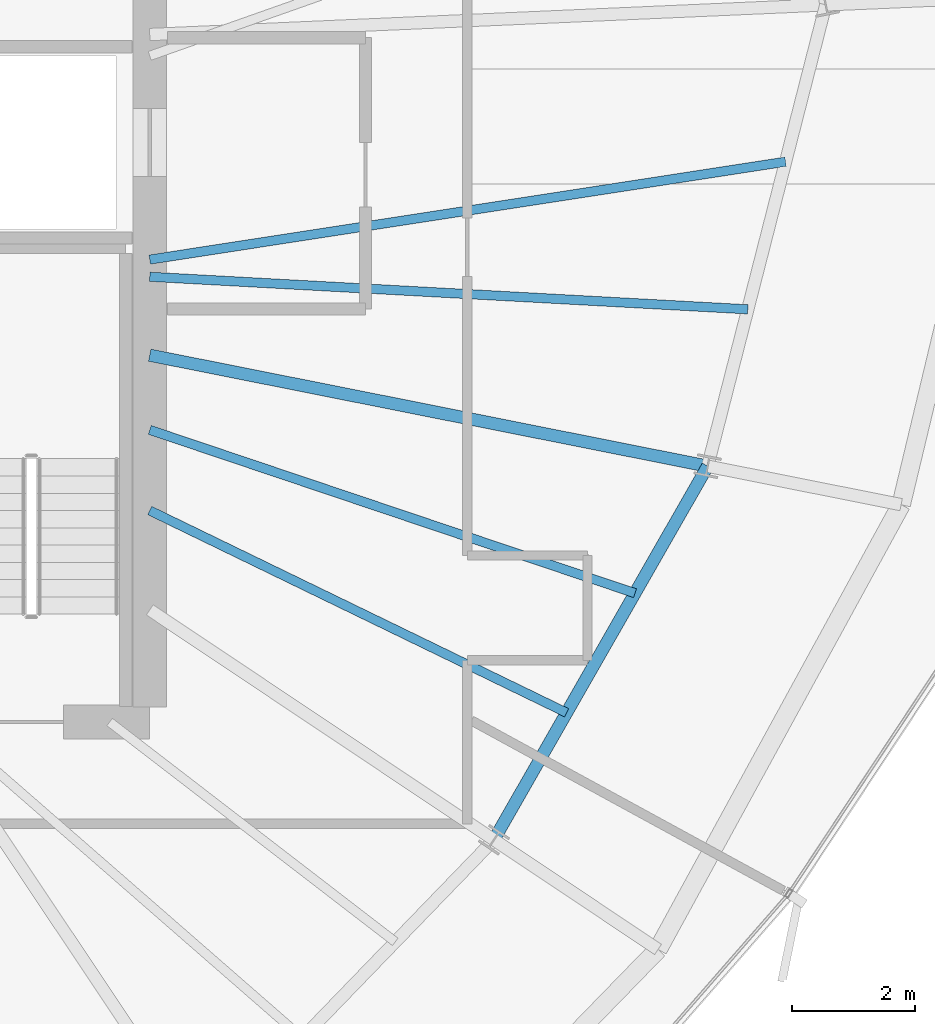
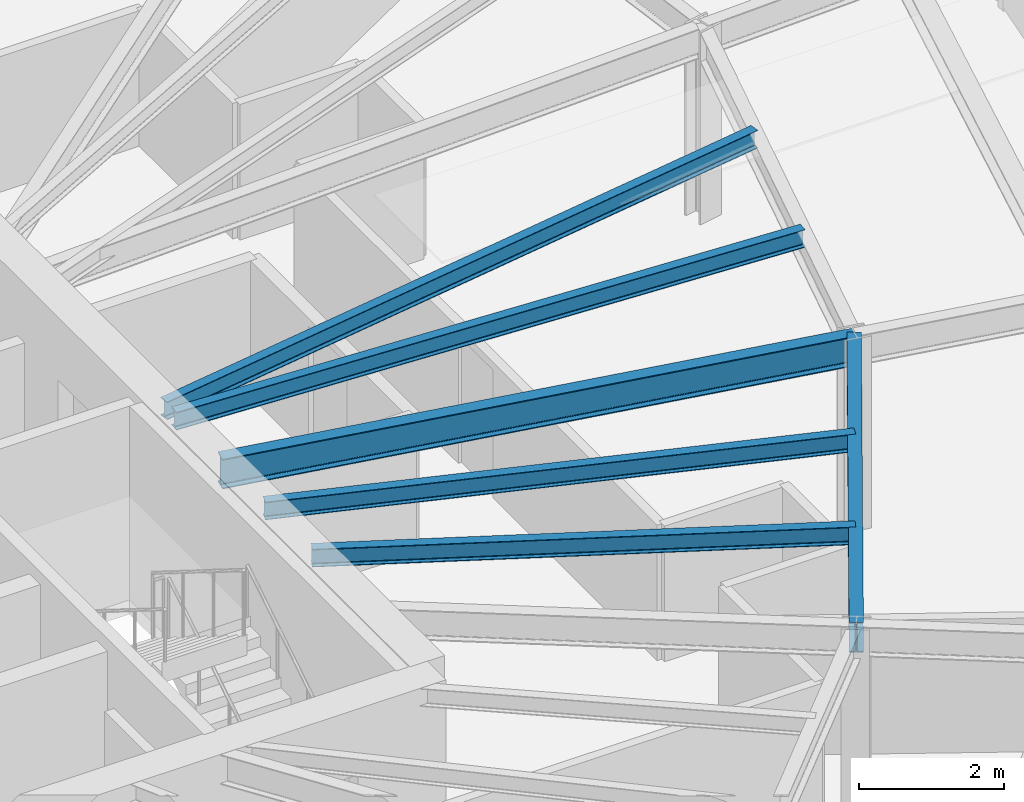
# One storey, part 16 of 34: 6 beams.
"""IFC4 building model written with IfcOpenShell, lengths in metres."""

from ifc_helpers import new_model, si_unit, direction, frame, origin, origin_2d, place, context, subcontext, project, spatial, i_section, extrude, source, transform, mapped, material, material_profile, profile_set, type_object, element, save


model = new_model("IFC4")

# Units and contexts
model_context = context("Model", 3, precision=1e-05, world=origin(), true_north=direction((0.0, 1.0)))
body_context = subcontext(model_context, "Body", "Model", "MODEL_VIEW")
ifc_project = project(units=[si_unit("LENGTHUNIT", "METRE"), si_unit("AREAUNIT", "SQUARE_METRE"), si_unit("VOLUMEUNIT", "CUBIC_METRE"), si_unit("PLANEANGLEUNIT", "RADIAN"), si_unit("MASSUNIT", "GRAM", prefix="KILO"), si_unit("THERMODYNAMICTEMPERATUREUNIT", "KELVIN")], contexts=[model_context])

# Site, building, storey
site_placement = place(None, origin())
site = spatial("IfcSite", under=ifc_project, at=site_placement, CompositionType="ELEMENT")
building_placement = place(site_placement, origin())
building = spatial("IfcBuilding", under=site, at=building_placement, Name="Kethvar Cultural Tower", CompositionType="ELEMENT")
storey_placement = place(building_placement, frame((0.0, 0.0, 183.39990234375)))
storey = spatial("IfcBuildingStorey", under=building, at=storey_placement, Name="L47", CompositionType="ELEMENT", Elevation=183.39990234375)

# Beams
ifc_material = material(Name="Steel S355J2", Category="steel")
ifc_material_profile_1 = material_profile(ifc_material, i_section(OverallWidth=0.199951171875, OverallDepth=0.5, WebThickness=0.01025390625, FlangeThickness=0.01611328125, FilletRadius=0.02099609375, at=origin_2d()), Name="Steel S355J2 — IPE500")
ifc_profile_set_1 = profile_set([ifc_material_profile_1], Name="Steel S355J2 — IPE500")
beam_type_1 = type_object("IfcBeamType", Name="BM-IPE500", PredefinedType="BEAM", material=ifc_profile_set_1)
shared_shape_1 = source(origin(), body_context, "Body", "SweptSolid", [
    extrude(i_section(OverallWidth=0.199951171875, OverallDepth=0.5, WebThickness=0.01025390625, FlangeThickness=0.01611328125, FilletRadius=0.02099609375, at=origin_2d()), origin(), (0.0, 0.0, 1.0), 9.225830078125),
])
beam_1_placement = place(storey_placement, frame((55.60009765625, 26.049560546875, 3.008056640625), z_axis=(0.980786744069, -0.195082963529, 0.0), x_axis=(0.195082963529, 0.980786744069, 0.0)))
element("IfcBeam", 1, at=beam_1_placement, inside=storey, type_object=beam_type_1, Name="L47 Primary Radial Beam RB-16", PredefinedType="BEAM", context=body_context, shape_type="MappedRepresentation", body=[
    mapped(shared_shape_1, transform((0.0, 0.0, 0.0), scale=1.0)),
])
shared_shape_2 = source(origin(), body_context, "Body", "SweptSolid", [
    extrude(i_section(OverallWidth=0.199951171875, OverallDepth=0.5, WebThickness=0.01025390625, FlangeThickness=0.01611328125, FilletRadius=0.02099609375, at=origin_2d()), origin(), (0.0, 0.0, 1.0), 6.98095703125),
])
beam_2_placement = place(storey_placement, frame((61.1826171875, 18.18994140625, 3.008056640625), z_axis=(0.496496686118, 0.868038617041, 0.0), x_axis=(-0.868038617041, 0.496496686118, 0.0)))
element("IfcBeam", 2, at=beam_2_placement, inside=storey, type_object=beam_type_1, Name="L47 Column Ring Tie Beam CR-15", PredefinedType="BEAM", context=body_context, shape_type="MappedRepresentation", body=[
    mapped(shared_shape_2, transform((0.0, 0.0, 0.0), scale=1.0)),
])
ifc_material_profile_2 = material_profile(ifc_material, i_section(OverallWidth=0.14990234375, OverallDepth=0.300048828125, WebThickness=0.007080078125, FlangeThickness=0.0107421875, FilletRadius=0.014892578125, at=origin_2d()), Name="Steel S355J2 — IPE300")
ifc_profile_set_2 = profile_set([ifc_material_profile_2], Name="Steel S355J2 — IPE300")
beam_type_2 = type_object("IfcBeamType", Name="BM-J300", PredefinedType="JOIST", material=ifc_profile_set_2)
shared_shape_3 = source(origin(), body_context, "Body", "SweptSolid", [
    extrude(i_section(OverallWidth=0.14990234375, OverallDepth=0.300048828125, WebThickness=0.007080078125, FlangeThickness=0.0107421875, FilletRadius=0.014892578125, at=origin_2d()), origin(), (0.0, 0.0, 1.0), 7.5146484375),
])
beam_3_placement = place(storey_placement, frame((55.60009765625, 23.530517578125, 3.108154296875), z_axis=(0.899698132091, -0.436512624229, 0.0), x_axis=(0.436512624229, 0.899698132091, 0.0)))
element("IfcBeam", 3, at=beam_3_placement, inside=storey, type_object=beam_type_2, Name="L47 Composite Floor Joist J-15A", PredefinedType="JOIST", context=body_context, shape_type="MappedRepresentation", body=[
    mapped(shared_shape_3, transform((0.0, 0.0, 0.0), scale=1.0)),
])
shared_shape_4 = source(origin(), body_context, "Body", "SweptSolid", [
    extrude(i_section(OverallWidth=0.14990234375, OverallDepth=0.300048828125, WebThickness=0.007080078125, FlangeThickness=0.0107421875, FilletRadius=0.014892578125, at=origin_2d()), origin(), (0.0, 0.0, 1.0), 8.303955078125),
])
beam_4_placement = place(storey_placement, frame((55.60009765625, 24.838134765625, 3.108154296875), z_axis=(0.94776496661, -0.318969540971, 0.0), x_axis=(0.318969540971, 0.94776496661, 0.0)))
element("IfcBeam", 4, at=beam_4_placement, inside=storey, type_object=beam_type_2, Name="L47 Composite Floor Joist J-15B", PredefinedType="JOIST", context=body_context, shape_type="MappedRepresentation", body=[
    mapped(shared_shape_4, transform((0.0, 0.0, 0.0), scale=1.0)),
])
shared_shape_5 = source(origin(), body_context, "Body", "SweptSolid", [
    extrude(i_section(OverallWidth=0.14990234375, OverallDepth=0.300048828125, WebThickness=0.007080078125, FlangeThickness=0.0107421875, FilletRadius=0.014892578125, at=origin_2d()), origin(), (0.0, 0.0, 1.0), 9.714111328125),
])
beam_5_placement = place(storey_placement, frame((55.60009765625, 27.3212890625, 3.108154296875), z_axis=(0.998522658081, -0.054336923906, 0.0), x_axis=(0.054336923906, 0.998522658081, 0.0)))
element("IfcBeam", 5, at=beam_5_placement, inside=storey, type_object=beam_type_2, Name="L47 Composite Floor Joist J-16A", PredefinedType="JOIST", context=body_context, shape_type="MappedRepresentation", body=[
    mapped(shared_shape_5, transform((0.0, 0.0, 0.0), scale=1.0)),
])
shared_shape_6 = source(origin(), body_context, "Body", "SweptSolid", [
    extrude(i_section(OverallWidth=0.14990234375, OverallDepth=0.300048828125, WebThickness=0.007080078125, FlangeThickness=0.0107421875, FilletRadius=0.014892578125, at=origin_2d()), origin(), (0.0, 0.0, 1.0), 10.43408203125),
])
beam_6_placement = place(storey_placement, frame((55.60009765625, 27.60009765625, 3.108154296875), z_axis=(0.988359792691, 0.152134546343, 0.0), x_axis=(-0.152134546343, 0.988359792691, 0.0)))
element("IfcBeam", 6, at=beam_6_placement, inside=storey, type_object=beam_type_2, Name="L47 Composite Floor Joist J-16B", PredefinedType="JOIST", context=body_context, shape_type="MappedRepresentation", body=[
    mapped(shared_shape_6, transform((0.0, 0.0, 0.0), scale=1.0)),
])

save(model, "model.ifc")
